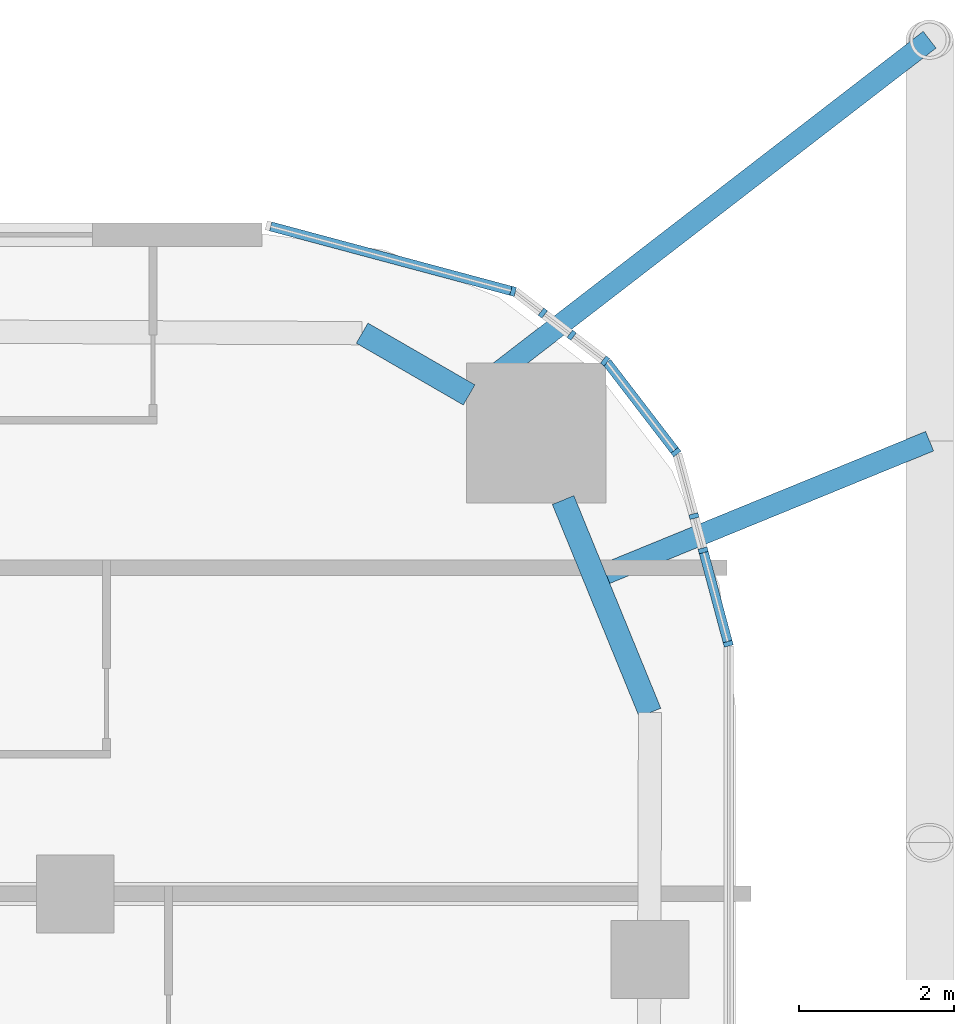
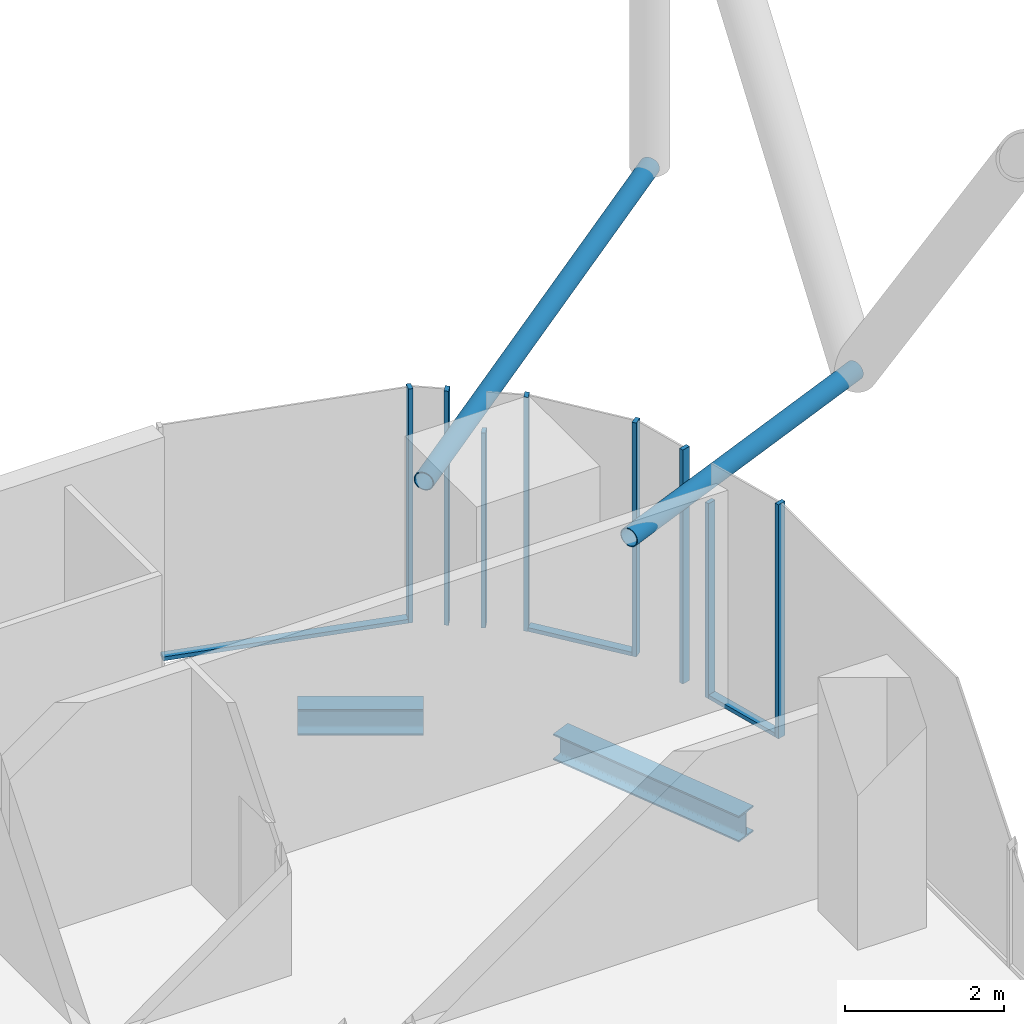
# One storey, part 14 of 38: 13 members, 2 beams, 8 elements without a shape of their own.
"""IFC4 building model written with IfcOpenShell, lengths in metres."""

from ifc_helpers import new_model, si_unit, direction, frame, origin, origin_2d, place, context, subcontext, project, spatial, rectangle, hollow_circle, i_section, extrude, material, layer, layer_set, material_profile, profile_set, type_object, element, aggregate, save


model = new_model("IFC4")

# Units and contexts
model_context = context("Model", 3, precision=1e-05, world=origin(), true_north=direction((0.0, 1.0)))
body_context = subcontext(model_context, "Body", "Model", "MODEL_VIEW")
ifc_project = project(units=[si_unit("LENGTHUNIT", "METRE"), si_unit("AREAUNIT", "SQUARE_METRE"), si_unit("VOLUMEUNIT", "CUBIC_METRE"), si_unit("PLANEANGLEUNIT", "RADIAN"), si_unit("MASSUNIT", "GRAM", prefix="KILO")], contexts=[model_context])

# Site, building, storey
site_placement = place(None, origin())
site = spatial("IfcSite", under=ifc_project, at=site_placement, CompositionType="ELEMENT")
building_placement = place(site_placement, origin())
building = spatial("IfcBuilding", under=site, at=building_placement, Name="Marenta Gate Hotel Tower", CompositionType="ELEMENT")
storey_placement = place(building_placement, frame((0.0, 0.0, 40.10009765625)))
storey = spatial("IfcBuildingStorey", under=building, at=storey_placement, Name="L07", CompositionType="ELEMENT", Elevation=40.10009765625)

# Beams
ifc_material_1 = material(Name="Steel S355", Category="steel")
ifc_material_profile_1 = material_profile(ifc_material_1, i_section(OverallWidth=0.300048828125, OverallDepth=0.39990234375, WebThickness=0.013427734375, FlangeThickness=0.02392578125, FilletRadius=0.027099609375, at=origin_2d()), Name="HEB 400")
ifc_profile_set_1 = profile_set([ifc_material_profile_1], Name="Steel S355")
beam_type = type_object("IfcBeamType", Name="Edge beam HEB 400", PredefinedType="SPANDREL", material=ifc_profile_set_1)
beam_1_placement = place(storey_placement, frame((24.69189453125, 32.42138671875, -0.460205078125), z_axis=(0.865968422476, -0.500098681536, 0.0), x_axis=(0.500098681536, 0.865968422476, 0.0)))
element("IfcBeam", 1, at=beam_1_placement, inside=storey, type_object=beam_type, Name="L07-EB-20", PredefinedType="SPANDREL", context=body_context, shape_type="SweptSolid", body=[
    extrude(i_section(OverallWidth=0.300048828125, OverallDepth=0.39990234375, WebThickness=0.013427734375, FlangeThickness=0.02392578125, FilletRadius=0.027099609375, at=origin_2d()), origin(), (0.0, 0.0, 1.0), 1.591552734375),
])
beam_2_placement = place(storey_placement, frame((27.280029296875, 30.2724609375, -0.460205078125), z_axis=(0.378565359962, -0.925574561144, 0.0), x_axis=(0.925574561144, 0.378565359962, 0.0)))
element("IfcBeam", 2, at=beam_2_placement, inside=storey, type_object=beam_type, Name="L07-EB-21", PredefinedType="SPANDREL", context=body_context, shape_type="SweptSolid", body=[
    extrude(i_section(OverallWidth=0.300048828125, OverallDepth=0.39990234375, WebThickness=0.013427734375, FlangeThickness=0.02392578125, FilletRadius=0.027099609375, at=origin_2d()), origin(), (0.0, 0.0, 1.0), 2.958251953125),
])

# Members
ifc_material_2 = material(Name="Steel S355J2W", Category="steel")
ifc_material_profile_2 = material_profile(ifc_material_2, hollow_circle(Radius=0.136474609375, WallThickness=0.012451171875, at=origin_2d()), Name="CHS 273x12.5")
ifc_profile_set_2 = profile_set([ifc_material_profile_2], Name="Steel S355J2W")
member_type_1 = type_object("IfcMemberType", Name="Floor tie CHS 273x12.5", PredefinedType="STRUT", material=ifc_profile_set_2)
member_1_placement = place(storey_placement, frame((32.0, 36.199951171875, 3.139892578125), z_axis=(-0.791777746729, -0.610809299032, 0.0), x_axis=(0.610809299032, -0.791777746729, 0.0)))
element("IfcMember", 3, at=member_1_placement, inside=storey, type_object=member_type_1, Name="L07-DR-7", PredefinedType="STRUT", context=body_context, shape_type="SweptSolid", body=[
    extrude(hollow_circle(Radius=0.136474609375, WallThickness=0.012451171875, at=origin_2d()), origin(), (0.0, 0.0, 1.0), 7.48193359375),
])
member_2_placement = place(storey_placement, frame((32.0, 31.030029296875, 3.139892578125), z_axis=(-0.925554485394, -0.378614440516, 0.0), x_axis=(0.378614440516, -0.925554485394, 0.0)))
element("IfcMember", 4, at=member_2_placement, inside=storey, type_object=member_type_1, Name="L07-DR-8", PredefinedType="STRUT", context=body_context, shape_type="SweptSolid", body=[
    extrude(hollow_circle(Radius=0.136474609375, WallThickness=0.012451171875, at=origin_2d()), origin(), (0.0, 0.0, 1.0), 4.6484375),
])

# Curtain wall, member
ifc_material_3 = material(Name="Tinted insulated glass in bronze anodised frame", Category="glass")
ifc_layer = layer(ifc_material_3, 0.1201171875)
ifc_layer_set = layer_set([ifc_layer], Name="Tinted insulated glass in bronze anodised frame")
curtain_wall_type = type_object("IfcCurtainWallType", Name="Tower unitised curtain wall CW1", PredefinedType="NOTDEFINED", material=ifc_layer_set)
curtain_wall_1_placement = place(storey_placement, origin())
curtain_wall_1 = element("IfcCurtainWall", 5, at=curtain_wall_1_placement, inside=storey, type_object=curtain_wall_type, Name="CW1 run G35", PredefinedType="NOTDEFINED")
ifc_material_4 = material(Name="Bronze anodised aluminium", Category="aluminium")
ifc_material_profile_3 = material_profile(ifc_material_4, rectangle(XDim=0.1201171875, YDim=0.06005859375, at=origin_2d()), Name="Mullion CW1 60x120 bronze anodised aluminium")
ifc_profile_set_3 = profile_set([ifc_material_profile_3], Name="Bronze anodised aluminium")
member_type_2 = type_object("IfcMemberType", Name="Mullion CW1 60x120 bronze anodised aluminium", PredefinedType="MULLION", material=ifc_profile_set_3)
member_3_placement = place(storey_placement, frame((29.40625, 28.4208984375, 0.0), z_axis=(0.0, 0.0, 1.0), x_axis=(-0.965926558196, -0.258816313572, 0.0)))
member_3 = element("IfcMember", 6, at=member_3_placement, type_object=member_type_2, Name="CW1 mullion 1", PredefinedType="MULLION", context=body_context, shape_type="SweptSolid", body=[
    extrude(rectangle(XDim=0.1201171875, YDim=0.06005859375, at=origin_2d()), origin(), (0.0, 0.0, 1.0), 3.599853515625),
])

curtain_wall_2_placement = place(storey_placement, origin())
curtain_wall_2 = element("IfcCurtainWall", 7, at=curtain_wall_2_placement, inside=storey, type_object=curtain_wall_type, Name="CW1 run G36", PredefinedType="NOTDEFINED")
member_4_placement = place(storey_placement, frame((29.083740234375, 29.62451171875, 0.0), z_axis=(0.0, 0.0, 1.0), x_axis=(-0.965921659399, -0.258834595648, 0.0)))
member_4 = element("IfcMember", 8, at=member_4_placement, type_object=member_type_2, Name="CW1 mullion 1", PredefinedType="MULLION", context=body_context, shape_type="SweptSolid", body=[
    extrude(rectangle(XDim=0.1201171875, YDim=0.06005859375, at=origin_2d()), origin(), (0.0, 0.0, 1.0), 3.00048828125),
])
aggregate(curtain_wall_2, [member_4])

curtain_wall_3_placement = place(storey_placement, origin())
curtain_wall_3 = element("IfcCurtainWall", 9, at=curtain_wall_3_placement, inside=storey, type_object=curtain_wall_type, Name="CW1 run G37", PredefinedType="NOTDEFINED")
member_5_placement = place(storey_placement, frame((28.965576171875, 30.065673828125, 0.0), z_axis=(0.0, 0.0, 1.0), x_axis=(-0.96592463299, -0.258823498514, 0.0)))
member_5 = element("IfcMember", 10, at=member_5_placement, type_object=member_type_2, Name="CW1 mullion 1", PredefinedType="MULLION", context=body_context, shape_type="SweptSolid", body=[
    extrude(rectangle(XDim=0.1201171875, YDim=0.06005859375, at=origin_2d()), origin(), (0.0, 0.0, 1.0), 3.599853515625),
])
aggregate(curtain_wall_3, [member_5])

curtain_wall_4_placement = place(storey_placement, origin())
curtain_wall_4 = element("IfcCurtainWall", 11, at=curtain_wall_4_placement, inside=storey, type_object=curtain_wall_type, Name="CW1 run G38", PredefinedType="NOTDEFINED")
member_6_placement = place(storey_placement, frame((28.733154296875, 30.888916015625, 0.0), z_axis=(0.0, 0.0, 1.0), x_axis=(-0.79333801153, -0.608781405318, 0.0)))
member_6 = element("IfcMember", 12, at=member_6_placement, type_object=member_type_2, Name="CW1 mullion 1", PredefinedType="MULLION", context=body_context, shape_type="SweptSolid", body=[
    extrude(rectangle(XDim=0.1201171875, YDim=0.06005859375, at=origin_2d()), origin(), (0.0, 0.0, 1.0), 3.599853515625),
])

curtain_wall_5_placement = place(storey_placement, origin())
curtain_wall_5 = element("IfcCurtainWall", 13, at=curtain_wall_5_placement, inside=storey, type_object=curtain_wall_type, Name="CW1 run G39", PredefinedType="NOTDEFINED")
member_7_placement = place(storey_placement, frame((27.82177734375, 32.063720703125, 0.0), z_axis=(0.0, 0.0, 1.0), x_axis=(-0.608794550401, -0.793327924254, 0.0)))
member_7 = element("IfcMember", 14, at=member_7_placement, type_object=member_type_2, Name="CW1 mullion 1", PredefinedType="MULLION", context=body_context, shape_type="SweptSolid", body=[
    extrude(rectangle(XDim=0.1201171875, YDim=0.06005859375, at=origin_2d()), origin(), (0.0, 0.0, 1.0), 3.599853515625),
])
aggregate(curtain_wall_5, [member_7])

curtain_wall_6_placement = place(storey_placement, origin())
curtain_wall_6 = element("IfcCurtainWall", 15, at=curtain_wall_6_placement, inside=storey, type_object=curtain_wall_type, Name="CW1 run G40", PredefinedType="NOTDEFINED")
member_8_placement = place(storey_placement, frame((27.390380859375, 32.394775390625, 0.0), z_axis=(0.0, 0.0, 1.0), x_axis=(-0.608771939349, -0.793345275313, 0.0)))
member_8 = element("IfcMember", 16, at=member_8_placement, type_object=member_type_2, Name="CW1 mullion 1", PredefinedType="MULLION", context=body_context, shape_type="SweptSolid", body=[
    extrude(rectangle(XDim=0.1201171875, YDim=0.06005859375, at=origin_2d()), origin(), (0.0, 0.0, 1.0), 3.00048828125),
])
aggregate(curtain_wall_6, [member_8])

curtain_wall_7_placement = place(storey_placement, origin())
curtain_wall_7 = element("IfcCurtainWall", 17, at=curtain_wall_7_placement, inside=storey, type_object=curtain_wall_type, Name="CW1 run G41", PredefinedType="NOTDEFINED")
member_9_placement = place(storey_placement, frame((27.018798828125, 32.679931640625, 0.0), z_axis=(0.0, 0.0, 1.0), x_axis=(-0.608775711402, -0.793342380821, 0.0)))
member_9 = element("IfcMember", 18, at=member_9_placement, type_object=member_type_2, Name="CW1 mullion 1", PredefinedType="MULLION", context=body_context, shape_type="SweptSolid", body=[
    extrude(rectangle(XDim=0.1201171875, YDim=0.06005859375, at=origin_2d()), origin(), (0.0, 0.0, 1.0), 3.599853515625),
])
aggregate(curtain_wall_7, [member_9])

curtain_wall_8_placement = place(storey_placement, origin())
curtain_wall_8 = element("IfcCurtainWall", 19, at=curtain_wall_8_placement, inside=storey, type_object=curtain_wall_type, Name="CW1 run G42", PredefinedType="NOTDEFINED")
member_10_placement = place(storey_placement, frame((26.63623046875, 32.958984375, 0.0), z_axis=(0.0, 0.0, 1.0), x_axis=(-0.258807310344, -0.965928970532, 0.0)))
member_10 = element("IfcMember", 20, at=member_10_placement, type_object=member_type_2, Name="CW1 mullion 1", PredefinedType="MULLION", context=body_context, shape_type="SweptSolid", body=[
    extrude(rectangle(XDim=0.1201171875, YDim=0.06005859375, at=origin_2d()), origin(), (0.0, 0.0, 1.0), 3.599853515625),
])

# Member
ifc_material_5 = material(Name="Bronze anodised aluminium", Category="aluminium")
ifc_material_profile_4 = material_profile(ifc_material_5, rectangle(XDim=0.1201171875, YDim=0.06005859375, at=origin_2d()), Name="Transom CW1 60x120 bronze anodised aluminium")
ifc_profile_set_4 = profile_set([ifc_material_profile_4], Name="Bronze anodised aluminium")
member_type_3 = type_object("IfcMemberType", Name="Transom CW1 60x120 bronze anodised aluminium", PredefinedType="USERDEFINED", material=ifc_profile_set_4)
member_11_placement = place(storey_placement, frame((29.3984375, 28.449951171875, 0.02978515625), z_axis=(-0.258777246525, 0.965937025215, 0.0), x_axis=(-0.965937025215, -0.258777246525, 0.0)))
member_11 = element("IfcMember", 21, at=member_11_placement, type_object=member_type_3, Name="CW1 transom 1.1", ObjectType="TRANSOM", PredefinedType="USERDEFINED", context=body_context, shape_type="SweptSolid", body=[
    extrude(rectangle(XDim=0.1201171875, YDim=0.06005859375, at=origin_2d()), origin(), (0.0, 0.0, 1.0), 1.185791015625),
])

aggregate(curtain_wall_1, [member_3, member_11])

member_12_placement = place(storey_placement, frame((28.71484375, 30.91259765625, 0.02978515625), z_axis=(-0.60882629199, 0.793303564963, 0.0), x_axis=(-0.793303564963, -0.60882629199, 0.0)))
member_12 = element("IfcMember", 22, at=member_12_placement, type_object=member_type_3, Name="CW1 transom 1.1", ObjectType="TRANSOM", PredefinedType="USERDEFINED", context=body_context, shape_type="SweptSolid", body=[
    extrude(rectangle(XDim=0.1201171875, YDim=0.06005859375, at=origin_2d()), origin(), (0.0, 0.0, 1.0), 1.427978515625),
])

aggregate(curtain_wall_4, [member_6, member_12])

member_13_placement = place(storey_placement, frame((26.607177734375, 32.966796875, 0.02978515625), z_axis=(-0.965933076693, 0.258791984709, 0.0), x_axis=(-0.258791984709, -0.965933076693, 0.0)))
member_13 = element("IfcMember", 23, at=member_13_placement, type_object=member_type_3, Name="CW1 transom 1.1", ObjectType="TRANSOM", PredefinedType="USERDEFINED", context=body_context, shape_type="SweptSolid", body=[
    extrude(rectangle(XDim=0.1201171875, YDim=0.06005859375, at=origin_2d()), origin(), (0.0, 0.0, 1.0), 3.201904296875),
])

aggregate(curtain_wall_8, [member_10, member_13])

save(model, "model.ifc")
